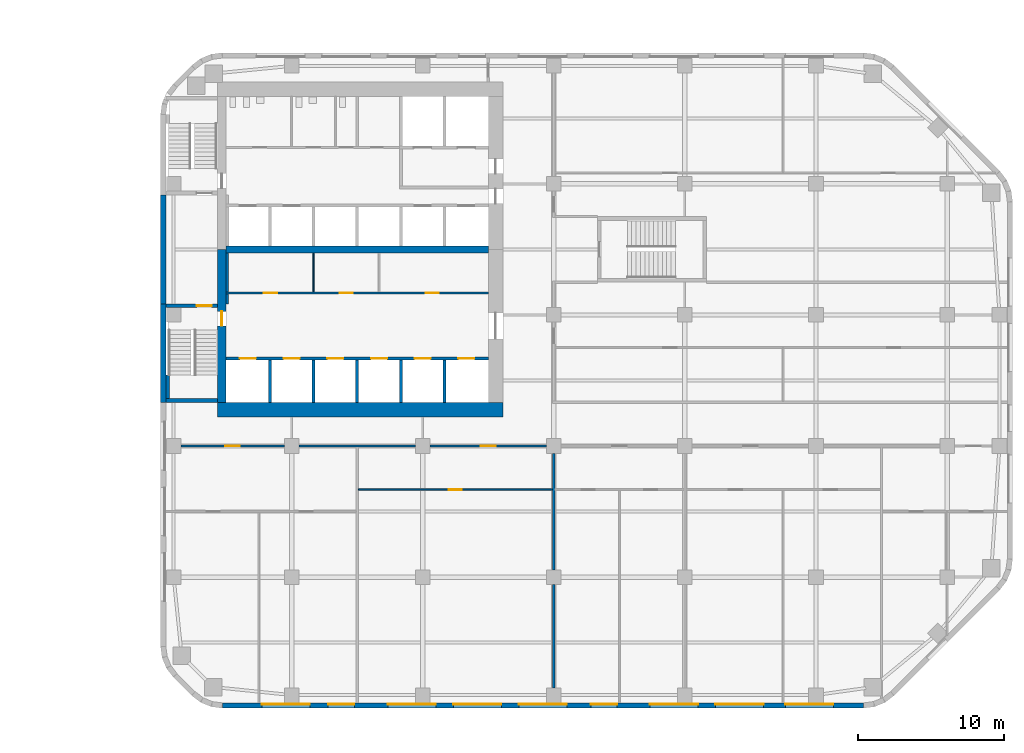
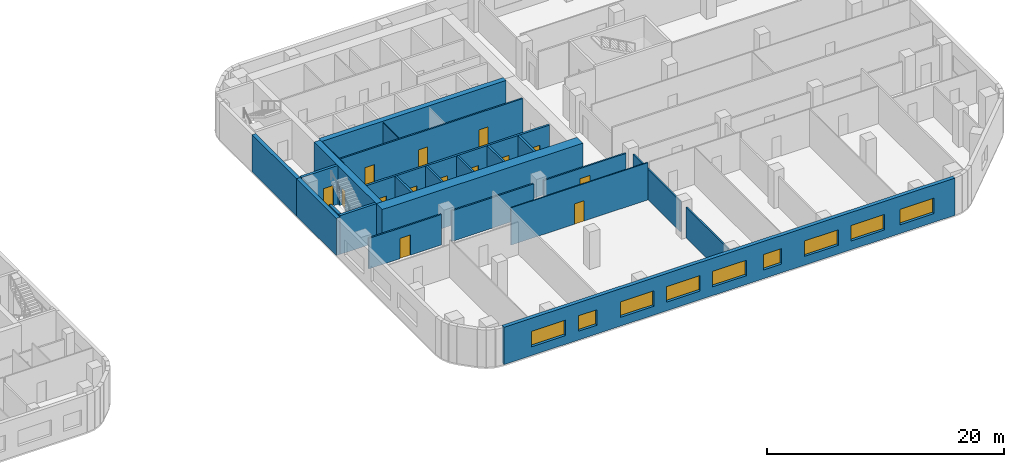
# One storey, part 9 of 16: 25 walls, 14 doors, 9 windows, 23 openings.
"""IFC4 building model written with IfcOpenShell, lengths in metres."""

from ifc_helpers import new_model, si_unit, direction, frame, frame_2d, origin, place, context, subcontext, project, spatial, rectangle, extrude, material, layer, layer_set, type_object, element, fill, save


model = new_model("IFC4")

# Units and contexts
model_context = context("Model", 3, precision=1e-05, world=origin(), true_north=direction((0.0, 1.0)))
body_context = subcontext(model_context, "Body", "Model", "MODEL_VIEW")
ifc_project = project(units=[si_unit("LENGTHUNIT", "METRE"), si_unit("AREAUNIT", "SQUARE_METRE"), si_unit("VOLUMEUNIT", "CUBIC_METRE"), si_unit("PLANEANGLEUNIT", "RADIAN"), si_unit("MASSUNIT", "GRAM", prefix="KILO")], contexts=[model_context])

# Site, building, storey
site_placement = place(None, origin())
site = spatial("IfcSite", under=ifc_project, at=site_placement, CompositionType="ELEMENT")
building_placement = place(site_placement, origin())
building = spatial("IfcBuilding", under=site, at=building_placement, Name="Cinnabar Reach Civic Tower", CompositionType="ELEMENT")
storey_placement = place(building_placement, frame((0.0, 0.0, 55.0)))
storey = spatial("IfcBuildingStorey", under=building, at=storey_placement, Name="L12", CompositionType="ELEMENT", Elevation=55.0)

# Wall, openings, windows
ifc_material_1 = material(Name="Facing brick with insulated backing", Category="masonry")
ifc_layer_1 = layer(ifc_material_1, 0.36)
ifc_layer_set_1 = layer_set([ifc_layer_1], Name="Brick pier and spandrel wall")
wall_type_1 = type_object("IfcWallType", Name="Brick pier and spandrel wall", PredefinedType="STANDARD", material=ifc_layer_set_1)
wall_1_placement = place(storey_placement, frame((4.2426, 0.18, 0.0), z_axis=(0.0, 0.0, 1.0), x_axis=(1.0, 0.0, 0.0)))
wall_1 = element("IfcWall", 1, at=wall_1_placement, inside=storey, type_object=wall_type_1, Name="Brick facade wall", PredefinedType="STANDARD", context=body_context, shape_type="SweptSolid", body=[
    extrude(rectangle(XDim=44.0148, YDim=0.36, at=frame_2d((22.0074, 0.0))), origin(), (0.0, 0.0, 1.0), 3.85),
])
opening_1_placement = place(wall_1_placement, frame((2.7074, 0.0, 0.9)))
opening_1 = element("IfcOpeningElement", 2, at=opening_1_placement, cuts=wall_1, Name="Opening W1186", PredefinedType="OPENING", context=body_context, shape_type="SweptSolid", body=[
    extrude(rectangle(XDim=3.3, YDim=1.6, at=frame_2d((1.65, 0.8))), frame((0.0, 0.19, 0.0), z_axis=(0.0, -1.0, 0.0), x_axis=(1.0, 0.0, 0.0)), (0.0, 0.0, 1.0), 0.38),
])
opening_2_placement = place(wall_1_placement, frame((7.2574, 0.0, 0.9)))
opening_2 = element("IfcOpeningElement", 3, at=opening_2_placement, cuts=wall_1, Name="Opening W1187", PredefinedType="OPENING", context=body_context, shape_type="SweptSolid", body=[
    extrude(rectangle(XDim=1.8, YDim=1.6, at=frame_2d((0.9, 0.8))), frame((0.0, 0.19, 0.0), z_axis=(0.0, -1.0, 0.0), x_axis=(1.0, 0.0, 0.0)), (0.0, 0.0, 1.0), 0.38),
])
opening_3_placement = place(wall_1_placement, frame((11.3574, 0.0, 0.9)))
opening_3 = element("IfcOpeningElement", 4, at=opening_3_placement, cuts=wall_1, Name="Opening W1188", PredefinedType="OPENING", context=body_context, shape_type="SweptSolid", body=[
    extrude(rectangle(XDim=3.3, YDim=1.6, at=frame_2d((1.65, 0.8))), frame((0.0, 0.19, 0.0), z_axis=(0.0, -1.0, 0.0), x_axis=(1.0, 0.0, 0.0)), (0.0, 0.0, 1.0), 0.38),
])
opening_4_placement = place(wall_1_placement, frame((15.8574, 0.0, 0.9)))
opening_4 = element("IfcOpeningElement", 5, at=opening_4_placement, cuts=wall_1, Name="Opening W1189", PredefinedType="OPENING", context=body_context, shape_type="SweptSolid", body=[
    extrude(rectangle(XDim=3.3, YDim=1.6, at=frame_2d((1.65, 0.8))), frame((0.0, 0.19, 0.0), z_axis=(0.0, -1.0, 0.0), x_axis=(1.0, 0.0, 0.0)), (0.0, 0.0, 1.0), 0.38),
])
opening_5_placement = place(wall_1_placement, frame((20.3574, 0.0, 0.9)))
opening_5 = element("IfcOpeningElement", 6, at=opening_5_placement, cuts=wall_1, Name="Opening W1190", PredefinedType="OPENING", context=body_context, shape_type="SweptSolid", body=[
    extrude(rectangle(XDim=3.3, YDim=1.6, at=frame_2d((1.65, 0.8))), frame((0.0, 0.19, 0.0), z_axis=(0.0, -1.0, 0.0), x_axis=(1.0, 0.0, 0.0)), (0.0, 0.0, 1.0), 0.38),
])
opening_6_placement = place(wall_1_placement, frame((25.3074, 0.0, 0.9)))
opening_6 = element("IfcOpeningElement", 7, at=opening_6_placement, cuts=wall_1, Name="Opening W1191", PredefinedType="OPENING", context=body_context, shape_type="SweptSolid", body=[
    extrude(rectangle(XDim=1.8, YDim=1.6, at=frame_2d((0.9, 0.8))), frame((0.0, 0.19, 0.0), z_axis=(0.0, -1.0, 0.0), x_axis=(1.0, 0.0, 0.0)), (0.0, 0.0, 1.0), 0.38),
])
opening_7_placement = place(wall_1_placement, frame((29.3574, 0.0, 0.9)))
opening_7 = element("IfcOpeningElement", 8, at=opening_7_placement, cuts=wall_1, Name="Opening W1192", PredefinedType="OPENING", context=body_context, shape_type="SweptSolid", body=[
    extrude(rectangle(XDim=3.3, YDim=1.6, at=frame_2d((1.65, 0.8))), frame((0.0, 0.19, 0.0), z_axis=(0.0, -1.0, 0.0), x_axis=(1.0, 0.0, 0.0)), (0.0, 0.0, 1.0), 0.38),
])
opening_8_placement = place(wall_1_placement, frame((33.8574, 0.0, 0.9)))
opening_8 = element("IfcOpeningElement", 9, at=opening_8_placement, cuts=wall_1, Name="Opening W1193", PredefinedType="OPENING", context=body_context, shape_type="SweptSolid", body=[
    extrude(rectangle(XDim=3.3, YDim=1.6, at=frame_2d((1.65, 0.8))), frame((0.0, 0.19, 0.0), z_axis=(0.0, -1.0, 0.0), x_axis=(1.0, 0.0, 0.0)), (0.0, 0.0, 1.0), 0.38),
])
opening_9_placement = place(wall_1_placement, frame((38.6574, 0.0, 0.9)))
opening_9 = element("IfcOpeningElement", 10, at=opening_9_placement, cuts=wall_1, Name="Opening W1194", PredefinedType="OPENING", context=body_context, shape_type="SweptSolid", body=[
    extrude(rectangle(XDim=3.3, YDim=1.6, at=frame_2d((1.65, 0.8))), frame((0.0, 0.19, 0.0), z_axis=(0.0, -1.0, 0.0), x_axis=(1.0, 0.0, 0.0)), (0.0, 0.0, 1.0), 0.38),
])
ifc_material_2 = material(Name="Clear double glazing in aluminium frame", Category="aluminium")
window_type_1 = type_object("IfcWindowType", Name="Deep-set window A", PartitioningType="SINGLE_PANEL", PredefinedType="WINDOW", material=ifc_material_2)
window_1_placement = place(opening_1_placement, origin())
window_1 = element("IfcWindow", 11, at=window_1_placement, inside=storey, type_object=window_type_1, Name="Window south face", OverallHeight=1.6, OverallWidth=3.3, PartitioningType="SINGLE_PANEL", PredefinedType="WINDOW", context=body_context, shape_type="SweptSolid", body=[
    extrude(rectangle(XDim=3.3, YDim=1.6, at=frame_2d((1.65, 0.8))), frame((0.0, 0.13, 0.0), z_axis=(0.0, -1.0, 0.0), x_axis=(1.0, 0.0, 0.0)), (0.0, 0.0, 1.0), 0.06),
])
fill(opening_1, window_1)
window_2_placement = place(opening_3_placement, origin())
window_2 = element("IfcWindow", 12, at=window_2_placement, inside=storey, type_object=window_type_1, Name="Window south face", OverallHeight=1.6, OverallWidth=3.3, PartitioningType="SINGLE_PANEL", PredefinedType="WINDOW", context=body_context, shape_type="SweptSolid", body=[
    extrude(rectangle(XDim=3.3, YDim=1.6, at=frame_2d((1.65, 0.8))), frame((0.0, 0.13, 0.0), z_axis=(0.0, -1.0, 0.0), x_axis=(1.0, 0.0, 0.0)), (0.0, 0.0, 1.0), 0.06),
])
fill(opening_3, window_2)
window_3_placement = place(opening_4_placement, origin())
window_3 = element("IfcWindow", 13, at=window_3_placement, inside=storey, type_object=window_type_1, Name="Window south face", OverallHeight=1.6, OverallWidth=3.3, PartitioningType="SINGLE_PANEL", PredefinedType="WINDOW", context=body_context, shape_type="SweptSolid", body=[
    extrude(rectangle(XDim=3.3, YDim=1.6, at=frame_2d((1.65, 0.8))), frame((0.0, 0.13, 0.0), z_axis=(0.0, -1.0, 0.0), x_axis=(1.0, 0.0, 0.0)), (0.0, 0.0, 1.0), 0.06),
])
fill(opening_4, window_3)
window_4_placement = place(opening_5_placement, origin())
window_4 = element("IfcWindow", 14, at=window_4_placement, inside=storey, type_object=window_type_1, Name="Window south face", OverallHeight=1.6, OverallWidth=3.3, PartitioningType="SINGLE_PANEL", PredefinedType="WINDOW", context=body_context, shape_type="SweptSolid", body=[
    extrude(rectangle(XDim=3.3, YDim=1.6, at=frame_2d((1.65, 0.8))), frame((0.0, 0.13, 0.0), z_axis=(0.0, -1.0, 0.0), x_axis=(1.0, 0.0, 0.0)), (0.0, 0.0, 1.0), 0.06),
])
fill(opening_5, window_4)
window_5_placement = place(opening_7_placement, origin())
window_5 = element("IfcWindow", 15, at=window_5_placement, inside=storey, type_object=window_type_1, Name="Window south face", OverallHeight=1.6, OverallWidth=3.3, PartitioningType="SINGLE_PANEL", PredefinedType="WINDOW", context=body_context, shape_type="SweptSolid", body=[
    extrude(rectangle(XDim=3.3, YDim=1.6, at=frame_2d((1.65, 0.8))), frame((0.0, 0.13, 0.0), z_axis=(0.0, -1.0, 0.0), x_axis=(1.0, 0.0, 0.0)), (0.0, 0.0, 1.0), 0.06),
])
fill(opening_7, window_5)
window_6_placement = place(opening_8_placement, origin())
window_6 = element("IfcWindow", 16, at=window_6_placement, inside=storey, type_object=window_type_1, Name="Window south face", OverallHeight=1.6, OverallWidth=3.3, PartitioningType="SINGLE_PANEL", PredefinedType="WINDOW", context=body_context, shape_type="SweptSolid", body=[
    extrude(rectangle(XDim=3.3, YDim=1.6, at=frame_2d((1.65, 0.8))), frame((0.0, 0.13, 0.0), z_axis=(0.0, -1.0, 0.0), x_axis=(1.0, 0.0, 0.0)), (0.0, 0.0, 1.0), 0.06),
])
fill(opening_8, window_6)
window_7_placement = place(opening_9_placement, origin())
window_7 = element("IfcWindow", 17, at=window_7_placement, inside=storey, type_object=window_type_1, Name="Window south face", OverallHeight=1.6, OverallWidth=3.3, PartitioningType="SINGLE_PANEL", PredefinedType="WINDOW", context=body_context, shape_type="SweptSolid", body=[
    extrude(rectangle(XDim=3.3, YDim=1.6, at=frame_2d((1.65, 0.8))), frame((0.0, 0.13, 0.0), z_axis=(0.0, -1.0, 0.0), x_axis=(1.0, 0.0, 0.0)), (0.0, 0.0, 1.0), 0.06),
])
fill(opening_9, window_7)
window_type_2 = type_object("IfcWindowType", Name="Deep-set window D", PartitioningType="SINGLE_PANEL", PredefinedType="WINDOW", material=ifc_material_2)
window_8_placement = place(opening_2_placement, origin())
window_8 = element("IfcWindow", 18, at=window_8_placement, inside=storey, type_object=window_type_2, Name="Window south face", OverallHeight=1.6, OverallWidth=1.8, PartitioningType="SINGLE_PANEL", PredefinedType="WINDOW", context=body_context, shape_type="SweptSolid", body=[
    extrude(rectangle(XDim=1.8, YDim=1.6, at=frame_2d((0.9, 0.8))), frame((0.0, 0.13, 0.0), z_axis=(0.0, -1.0, 0.0), x_axis=(1.0, 0.0, 0.0)), (0.0, 0.0, 1.0), 0.06),
])
fill(opening_2, window_8)
window_9_placement = place(opening_6_placement, origin())
window_9 = element("IfcWindow", 19, at=window_9_placement, inside=storey, type_object=window_type_2, Name="Window south face", OverallHeight=1.6, OverallWidth=1.8, PartitioningType="SINGLE_PANEL", PredefinedType="WINDOW", context=body_context, shape_type="SweptSolid", body=[
    extrude(rectangle(XDim=1.8, YDim=1.6, at=frame_2d((0.9, 0.8))), frame((0.0, 0.13, 0.0), z_axis=(0.0, -1.0, 0.0), x_axis=(1.0, 0.0, 0.0)), (0.0, 0.0, 1.0), 0.06),
])
fill(opening_6, window_9)

# Walls
wall_2_placement = place(storey_placement, frame((0.18, 35.25, 0.0), z_axis=(0.0, 0.0, 1.0), x_axis=(0.0, -1.0, 0.0)))
element("IfcWall", 20, at=wall_2_placement, inside=storey, type_object=wall_type_1, Name="Brick facade wall", PredefinedType="STANDARD", context=body_context, shape_type="SweptSolid", body=[
    extrude(rectangle(XDim=7.5, YDim=0.36, at=frame_2d((3.75, 0.0))), origin(), (0.0, 0.0, 1.0), 3.85),
])
wall_3_placement = place(storey_placement, frame((0.18, 27.75, 0.0), z_axis=(0.0, 0.0, 1.0), x_axis=(0.0, -1.0, 0.0)))
element("IfcWall", 21, at=wall_3_placement, inside=storey, type_object=wall_type_1, Name="Brick facade wall", PredefinedType="STANDARD", context=body_context, shape_type="SweptSolid", body=[
    extrude(rectangle(XDim=6.75, YDim=0.36, at=frame_2d((3.375, 0.0))), origin(), (0.0, 0.0, 1.0), 3.85),
])
ifc_material_3 = material(Name="Concrete C70", Category="concrete")
ifc_layer_2 = layer(ifc_material_3, 1.0)
ifc_layer_set_2 = layer_set([ifc_layer_2], Name="Core wall 1000 EI 180")
wall_type_2 = type_object("IfcWallType", Name="Core wall 1000 EI 180", PredefinedType="SOLIDWALL", material=ifc_layer_set_2)
wall_4_placement = place(storey_placement, frame((3.9, 20.5, 0.0), z_axis=(0.0, 0.0, 1.0), x_axis=(1.0, 0.0, 0.0)))
element("IfcWall", 22, at=wall_4_placement, inside=storey, type_object=wall_type_2, Name="Core wall T1 L12 S", PredefinedType="SOLIDWALL", context=body_context, shape_type="SweptSolid", body=[
    extrude(rectangle(XDim=19.6, YDim=1.0, at=frame_2d((9.8, 0.0))), origin(), (0.0, 0.0, 1.0), 4.0),
])
ifc_material_4 = material(Name="Concrete C60", Category="concrete")
ifc_layer_3 = layer(ifc_material_4, 0.5)
ifc_layer_set_3 = layer_set([ifc_layer_3], Name="Core wall 500 EI 180")
wall_type_3 = type_object("IfcWallType", Name="Core wall 500 EI 180", PredefinedType="SOLIDWALL", material=ifc_layer_set_3)
wall_5_placement = place(storey_placement, frame((4.5, 31.5, 0.0), z_axis=(0.0, 0.0, 1.0), x_axis=(1.0, 0.0, 0.0)))
element("IfcWall", 23, at=wall_5_placement, inside=storey, type_object=wall_type_3, Name="Core spine wall T1 L12", PredefinedType="SOLIDWALL", context=body_context, shape_type="SweptSolid", body=[
    extrude(rectangle(XDim=18.0, YDim=0.5, at=frame_2d((9.0, 0.0))), origin(), (0.0, 0.0, 1.0), 4.0),
])

# Wall, opening, door
ifc_layer_4 = layer(ifc_material_3, 0.6)
ifc_layer_set_4 = layer_set([ifc_layer_4], Name="Core wall 600 EI 180")
wall_type_4 = type_object("IfcWallType", Name="Core wall 600 EI 180", PredefinedType="SOLIDWALL", material=ifc_layer_set_4)
wall_6_placement = place(storey_placement, frame((4.2, 31.5, 0.0), z_axis=(0.0, 0.0, 1.0), x_axis=(0.0, -1.0, 0.0)))
wall_6 = element("IfcWall", 24, at=wall_6_placement, inside=storey, type_object=wall_type_4, Name="Core wall T1 L12 W2", PredefinedType="SOLIDWALL", context=body_context, shape_type="SweptSolid", body=[
    extrude(rectangle(XDim=10.5, YDim=0.6, at=frame_2d((5.25, 0.0))), origin(), (0.0, 0.0, 1.0), 4.0),
])
opening_10_placement = place(wall_6_placement, frame((4.25, 0.0, 0.0)))
opening_10 = element("IfcOpeningElement", 25, at=opening_10_placement, cuts=wall_6, Name="Opening D3469", PredefinedType="OPENING", context=body_context, shape_type="SweptSolid", body=[
    extrude(rectangle(XDim=1.0, YDim=2.1, at=frame_2d((0.5, 1.05))), frame((0.0, 0.31, 0.0), z_axis=(0.0, -1.0, 0.0), x_axis=(1.0, 0.0, 0.0)), (0.0, 0.0, 1.0), 0.62),
])
ifc_material_5 = material(Name="Timber door leaf in steel frame", Category="steel")
door_type_1 = type_object("IfcDoorType", Name="Stair door 1000 x 2100 T1", OperationType="SINGLE_SWING_LEFT", PredefinedType="DOOR", material=ifc_material_5)
door_1_placement = place(opening_10_placement, frame((1.0, 0.0, 0.0), z_axis=(0.0, 0.0, 1.0), x_axis=(-1.0, 0.0, 0.0)))
door_1 = element("IfcDoor", 26, at=door_1_placement, inside=storey, type_object=door_type_1, Name="Door D3469", OperationType="SINGLE_SWING_RIGHT", OverallHeight=2.1, OverallWidth=1.0, PredefinedType="DOOR", context=body_context, shape_type="SweptSolid", body=[
    extrude(rectangle(XDim=1.0, YDim=2.1, at=frame_2d((0.5, 1.05))), frame((0.0, 0.025, 0.0), z_axis=(0.0, -1.0, 0.0), x_axis=(1.0, 0.0, 0.0)), (0.0, 0.0, 1.0), 0.05),
])
fill(opening_10, door_1)

ifc_material_6 = material(Name="Gypsum board on steel studs, double layer", Category="steel")
ifc_layer_5 = layer(ifc_material_6, 0.15)
ifc_layer_set_5 = layer_set([ifc_layer_5], Name="Corridor wall 150 T1")
wall_type_5 = type_object("IfcWallType", Name="Corridor wall 150 T1", PredefinedType="PARTITIONING", material=ifc_layer_set_5)
wall_7_placement = place(storey_placement, frame((18.5, 18.0, 0.0), z_axis=(0.0, 0.0, 1.0), x_axis=(1.0, 0.0, 0.0)))
wall_7 = element("IfcWall", 27, at=wall_7_placement, inside=storey, type_object=wall_type_5, Name="Corridor wall 23", PredefinedType="PARTITIONING", context=body_context, shape_type="SweptSolid", body=[
    extrude(rectangle(XDim=8.0, YDim=0.15, at=frame_2d((4.0, 0.0))), origin(), (0.0, 0.0, 1.0), 3.15),
])
opening_11_placement = place(wall_7_placement, frame((3.5, 0.0, 0.0)))
opening_11 = element("IfcOpeningElement", 28, at=opening_11_placement, cuts=wall_7, Name="Opening D3505", PredefinedType="OPENING", context=body_context, shape_type="SweptSolid", body=[
    extrude(rectangle(XDim=1.0, YDim=2.1, at=frame_2d((0.5, 1.05))), frame((0.0, 0.085, 0.0), z_axis=(0.0, -1.0, 0.0), x_axis=(1.0, 0.0, 0.0)), (0.0, 0.0, 1.0), 0.17),
])
door_type_2 = type_object("IfcDoorType", Name="Tenancy entrance door 1000 x 2100 T1", OperationType="SINGLE_SWING_LEFT", PredefinedType="DOOR", material=ifc_material_5)
door_2_placement = place(opening_11_placement, frame((1.0, 0.0, 0.0), z_axis=(0.0, 0.0, 1.0), x_axis=(-1.0, 0.0, 0.0)))
door_2 = element("IfcDoor", 29, at=door_2_placement, inside=storey, type_object=door_type_2, Name="Door D3505", OperationType="SINGLE_SWING_RIGHT", OverallHeight=2.1, OverallWidth=1.0, PredefinedType="DOOR", context=body_context, shape_type="SweptSolid", body=[
    extrude(rectangle(XDim=1.0, YDim=2.1, at=frame_2d((0.5, 1.05))), frame((0.0, 0.025, 0.0), z_axis=(0.0, -1.0, 0.0), x_axis=(1.0, 0.0, 0.0)), (0.0, 0.0, 1.0), 0.05),
])
fill(opening_11, door_2)

# Wall
wall_8_placement = place(storey_placement, frame((9.5, 18.0, 0.0), z_axis=(0.0, 0.0, 1.0), x_axis=(1.0, 0.0, 0.0)))
element("IfcWall", 30, at=wall_8_placement, inside=storey, type_object=wall_type_5, Name="Corridor wall 24", PredefinedType="PARTITIONING", context=body_context, shape_type="SweptSolid", body=[
    extrude(rectangle(XDim=8.0, YDim=0.15, at=frame_2d((4.0, 0.0))), origin(), (0.0, 0.0, 1.0), 3.15),
])

# Wall, opening, door
wall_9_placement = place(storey_placement, frame((1.4, 18.0, 0.0), z_axis=(0.0, 0.0, 1.0), x_axis=(1.0, 0.0, 0.0)))
wall_9 = element("IfcWall", 31, at=wall_9_placement, inside=storey, type_object=wall_type_5, Name="Corridor wall 25", PredefinedType="PARTITIONING", context=body_context, shape_type="SweptSolid", body=[
    extrude(rectangle(XDim=7.1, YDim=0.15, at=frame_2d((3.55, 0.0))), origin(), (0.0, 0.0, 1.0), 3.15),
])
opening_12_placement = place(wall_9_placement, frame((3.05, 0.0, 0.0)))
opening_12 = element("IfcOpeningElement", 32, at=opening_12_placement, cuts=wall_9, Name="Opening D3502", PredefinedType="OPENING", context=body_context, shape_type="SweptSolid", body=[
    extrude(rectangle(XDim=1.0, YDim=2.1, at=frame_2d((0.5, 1.05))), frame((0.0, 0.085, 0.0), z_axis=(0.0, -1.0, 0.0), x_axis=(1.0, 0.0, 0.0)), (0.0, 0.0, 1.0), 0.17),
])
door_3_placement = place(opening_12_placement, frame((1.0, 0.0, 0.0), z_axis=(0.0, 0.0, 1.0), x_axis=(-1.0, 0.0, 0.0)))
door_3 = element("IfcDoor", 33, at=door_3_placement, inside=storey, type_object=door_type_2, Name="Door D3502", OperationType="SINGLE_SWING_LEFT", OverallHeight=2.1, OverallWidth=1.0, PredefinedType="DOOR", context=body_context, shape_type="SweptSolid", body=[
    extrude(rectangle(XDim=1.0, YDim=2.1, at=frame_2d((0.5, 1.05))), frame((0.0, 0.025, 0.0), z_axis=(0.0, -1.0, 0.0), x_axis=(1.0, 0.0, 0.0)), (0.0, 0.0, 1.0), 0.05),
])
fill(opening_12, door_3)

# Wall, openings, doors
wall_10_placement = place(storey_placement, frame((4.5, 28.5, 0.0), z_axis=(0.0, 0.0, 1.0), x_axis=(1.0, 0.0, 0.0)))
wall_10 = element("IfcWall", 34, at=wall_10_placement, inside=storey, type_object=wall_type_5, Name="Corridor wall 27", PredefinedType="PARTITIONING", context=body_context, shape_type="SweptSolid", body=[
    extrude(rectangle(XDim=18.0, YDim=0.15, at=frame_2d((9.0, 0.0))), origin(), (0.0, 0.0, 1.0), 3.85),
])
opening_13_placement = place(wall_10_placement, frame((2.6, 0.0, 0.0)))
opening_13 = element("IfcOpeningElement", 35, at=opening_13_placement, cuts=wall_10, Name="Opening D3489", PredefinedType="OPENING", context=body_context, shape_type="SweptSolid", body=[
    extrude(rectangle(XDim=0.9, YDim=2.1, at=frame_2d((0.45, 1.05))), frame((0.0, 0.085, 0.0), z_axis=(0.0, -1.0, 0.0), x_axis=(1.0, 0.0, 0.0)), (0.0, 0.0, 1.0), 0.17),
])
opening_14_placement = place(wall_10_placement, frame((7.8, 0.0, 0.0)))
opening_14 = element("IfcOpeningElement", 36, at=opening_14_placement, cuts=wall_10, Name="Opening D3490", PredefinedType="OPENING", context=body_context, shape_type="SweptSolid", body=[
    extrude(rectangle(XDim=0.9, YDim=2.1, at=frame_2d((0.45, 1.05))), frame((0.0, 0.085, 0.0), z_axis=(0.0, -1.0, 0.0), x_axis=(1.0, 0.0, 0.0)), (0.0, 0.0, 1.0), 0.17),
])
opening_15_placement = place(wall_10_placement, frame((13.7, 0.0, 0.0)))
opening_15 = element("IfcOpeningElement", 37, at=opening_15_placement, cuts=wall_10, Name="Opening D3491", PredefinedType="OPENING", context=body_context, shape_type="SweptSolid", body=[
    extrude(rectangle(XDim=0.9, YDim=2.1, at=frame_2d((0.45, 1.05))), frame((0.0, 0.085, 0.0), z_axis=(0.0, -1.0, 0.0), x_axis=(1.0, 0.0, 0.0)), (0.0, 0.0, 1.0), 0.17),
])
door_type_3 = type_object("IfcDoorType", Name="Single swing door 900 x 2100 corridor T1", OperationType="SINGLE_SWING_LEFT", PredefinedType="DOOR", material=ifc_material_5)
door_4_placement = place(opening_13_placement, origin())
door_4 = element("IfcDoor", 38, at=door_4_placement, inside=storey, type_object=door_type_3, Name="Door D3489", OperationType="SINGLE_SWING_RIGHT", OverallHeight=2.1, OverallWidth=0.9, PredefinedType="DOOR", context=body_context, shape_type="SweptSolid", body=[
    extrude(rectangle(XDim=0.9, YDim=2.1, at=frame_2d((0.45, 1.05))), frame((0.0, 0.025, 0.0), z_axis=(0.0, -1.0, 0.0), x_axis=(1.0, 0.0, 0.0)), (0.0, 0.0, 1.0), 0.05),
])
fill(opening_13, door_4)
door_5_placement = place(opening_14_placement, origin())
door_5 = element("IfcDoor", 39, at=door_5_placement, inside=storey, type_object=door_type_3, Name="Door D3490", OperationType="SINGLE_SWING_RIGHT", OverallHeight=2.1, OverallWidth=0.9, PredefinedType="DOOR", context=body_context, shape_type="SweptSolid", body=[
    extrude(rectangle(XDim=0.9, YDim=2.1, at=frame_2d((0.45, 1.05))), frame((0.0, 0.025, 0.0), z_axis=(0.0, -1.0, 0.0), x_axis=(1.0, 0.0, 0.0)), (0.0, 0.0, 1.0), 0.05),
])
fill(opening_14, door_5)
door_6_placement = place(opening_15_placement, origin())
door_6 = element("IfcDoor", 40, at=door_6_placement, inside=storey, type_object=door_type_3, Name="Door D3491", OperationType="SINGLE_SWING_LEFT", OverallHeight=2.1, OverallWidth=0.9, PredefinedType="DOOR", context=body_context, shape_type="SweptSolid", body=[
    extrude(rectangle(XDim=0.9, YDim=2.1, at=frame_2d((0.45, 1.05))), frame((0.0, 0.025, 0.0), z_axis=(0.0, -1.0, 0.0), x_axis=(1.0, 0.0, 0.0)), (0.0, 0.0, 1.0), 0.05),
])
fill(opening_15, door_6)

# Walls
wall_11_placement = place(storey_placement, frame((4.575, 27.75, 0.0), z_axis=(0.0, 0.0, 1.0), x_axis=(0.0, 1.0, 0.0)))
element("IfcWall", 41, at=wall_11_placement, inside=storey, type_object=wall_type_5, Name="Corridor wall 33", PredefinedType="PARTITIONING", context=body_context, shape_type="SweptSolid", body=[
    extrude(rectangle(XDim=0.675, YDim=0.15, at=frame_2d((0.3375, 0.0))), origin(), (0.0, 0.0, 1.0), 3.85),
])
wall_12_placement = place(storey_placement, frame((4.575, 28.575, 0.0), z_axis=(0.0, 0.0, 1.0), x_axis=(0.0, 1.0, 0.0)))
element("IfcWall", 42, at=wall_12_placement, inside=storey, type_object=wall_type_5, Name="Corridor wall 34", PredefinedType="PARTITIONING", context=body_context, shape_type="SweptSolid", body=[
    extrude(rectangle(XDim=2.675, YDim=0.15, at=frame_2d((1.3375, 0.0))), origin(), (0.0, 0.0, 1.0), 3.85),
])

# Wall, openings, doors
ifc_material_7 = material(Name="Blockwork", Category="masonry")
ifc_layer_6 = layer(ifc_material_7, 0.2)
ifc_layer_set_6 = layer_set([ifc_layer_6], Name="Lift shaft wall 200 T1")
wall_type_6 = type_object("IfcWallType", Name="Lift shaft wall 200 T1", PredefinedType="PARTITIONING", material=ifc_layer_set_6)
wall_13_placement = place(storey_placement, frame((4.5, 24.0, 0.0), z_axis=(0.0, 0.0, 1.0), x_axis=(1.0, 0.0, 0.0)))
wall_13 = element("IfcWall", 43, at=wall_13_placement, inside=storey, type_object=wall_type_6, Name="Lift shaft wall 4", PredefinedType="PARTITIONING", context=body_context, shape_type="SweptSolid", body=[
    extrude(rectangle(XDim=18.0, YDim=0.2, at=frame_2d((9.0, 0.0))), origin(), (0.0, 0.0, 1.0), 3.85),
])
opening_16_placement = place(wall_13_placement, frame((0.95, 0.0, 0.0)))
opening_16 = element("IfcOpeningElement", 44, at=opening_16_placement, cuts=wall_13, Name="Opening D3473", PredefinedType="OPENING", context=body_context, shape_type="SweptSolid", body=[
    extrude(rectangle(XDim=1.1, YDim=2.1, at=frame_2d((0.55, 1.05))), frame((0.0, 0.11, 0.0), z_axis=(0.0, -1.0, 0.0), x_axis=(1.0, 0.0, 0.0)), (0.0, 0.0, 1.0), 0.22),
])
opening_17_placement = place(wall_13_placement, frame((3.95, 0.0, 0.0)))
opening_17 = element("IfcOpeningElement", 45, at=opening_17_placement, cuts=wall_13, Name="Opening D3474", PredefinedType="OPENING", context=body_context, shape_type="SweptSolid", body=[
    extrude(rectangle(XDim=1.1, YDim=2.1, at=frame_2d((0.55, 1.05))), frame((0.0, 0.11, 0.0), z_axis=(0.0, -1.0, 0.0), x_axis=(1.0, 0.0, 0.0)), (0.0, 0.0, 1.0), 0.22),
])
opening_18_placement = place(wall_13_placement, frame((6.95, 0.0, 0.0)))
opening_18 = element("IfcOpeningElement", 46, at=opening_18_placement, cuts=wall_13, Name="Opening D3475", PredefinedType="OPENING", context=body_context, shape_type="SweptSolid", body=[
    extrude(rectangle(XDim=1.1, YDim=2.1, at=frame_2d((0.55, 1.05))), frame((0.0, 0.11, 0.0), z_axis=(0.0, -1.0, 0.0), x_axis=(1.0, 0.0, 0.0)), (0.0, 0.0, 1.0), 0.22),
])
opening_19_placement = place(wall_13_placement, frame((9.95, 0.0, 0.0)))
opening_19 = element("IfcOpeningElement", 47, at=opening_19_placement, cuts=wall_13, Name="Opening D3476", PredefinedType="OPENING", context=body_context, shape_type="SweptSolid", body=[
    extrude(rectangle(XDim=1.1, YDim=2.1, at=frame_2d((0.55, 1.05))), frame((0.0, 0.11, 0.0), z_axis=(0.0, -1.0, 0.0), x_axis=(1.0, 0.0, 0.0)), (0.0, 0.0, 1.0), 0.22),
])
opening_20_placement = place(wall_13_placement, frame((12.95, 0.0, 0.0)))
opening_20 = element("IfcOpeningElement", 48, at=opening_20_placement, cuts=wall_13, Name="Opening D3477", PredefinedType="OPENING", context=body_context, shape_type="SweptSolid", body=[
    extrude(rectangle(XDim=1.1, YDim=2.1, at=frame_2d((0.55, 1.05))), frame((0.0, 0.11, 0.0), z_axis=(0.0, -1.0, 0.0), x_axis=(1.0, 0.0, 0.0)), (0.0, 0.0, 1.0), 0.22),
])
opening_21_placement = place(wall_13_placement, frame((15.95, 0.0, 0.0)))
opening_21 = element("IfcOpeningElement", 49, at=opening_21_placement, cuts=wall_13, Name="Opening D3478", PredefinedType="OPENING", context=body_context, shape_type="SweptSolid", body=[
    extrude(rectangle(XDim=1.1, YDim=2.1, at=frame_2d((0.55, 1.05))), frame((0.0, 0.11, 0.0), z_axis=(0.0, -1.0, 0.0), x_axis=(1.0, 0.0, 0.0)), (0.0, 0.0, 1.0), 0.22),
])
ifc_material_8 = material(Name="Stainless steel sliding door", Category="steel")
door_type_4 = type_object("IfcDoorType", Name="Lift landing door 1100 x 2100 T1", OperationType="SLIDING_TO_LEFT", PredefinedType="DOOR", material=ifc_material_8)
door_7_placement = place(opening_16_placement, origin())
door_7 = element("IfcDoor", 50, at=door_7_placement, inside=storey, type_object=door_type_4, Name="Lift landing door LR1 L12", OperationType="SLIDING_TO_LEFT", OverallHeight=2.1, OverallWidth=1.1, PredefinedType="DOOR", context=body_context, shape_type="SweptSolid", body=[
    extrude(rectangle(XDim=1.1, YDim=2.1, at=frame_2d((0.55, 1.05))), frame((0.0, 0.025, 0.0), z_axis=(0.0, -1.0, 0.0), x_axis=(1.0, 0.0, 0.0)), (0.0, 0.0, 1.0), 0.05),
])
fill(opening_16, door_7)
door_8_placement = place(opening_17_placement, origin())
door_8 = element("IfcDoor", 51, at=door_8_placement, inside=storey, type_object=door_type_4, Name="Lift landing door LR2 L12", OperationType="SLIDING_TO_LEFT", OverallHeight=2.1, OverallWidth=1.1, PredefinedType="DOOR", context=body_context, shape_type="SweptSolid", body=[
    extrude(rectangle(XDim=1.1, YDim=2.1, at=frame_2d((0.55, 1.05))), frame((0.0, 0.025, 0.0), z_axis=(0.0, -1.0, 0.0), x_axis=(1.0, 0.0, 0.0)), (0.0, 0.0, 1.0), 0.05),
])
fill(opening_17, door_8)
door_9_placement = place(opening_18_placement, origin())
door_9 = element("IfcDoor", 52, at=door_9_placement, inside=storey, type_object=door_type_4, Name="Lift landing door LR3 L12", OperationType="SLIDING_TO_LEFT", OverallHeight=2.1, OverallWidth=1.1, PredefinedType="DOOR", context=body_context, shape_type="SweptSolid", body=[
    extrude(rectangle(XDim=1.1, YDim=2.1, at=frame_2d((0.55, 1.05))), frame((0.0, 0.025, 0.0), z_axis=(0.0, -1.0, 0.0), x_axis=(1.0, 0.0, 0.0)), (0.0, 0.0, 1.0), 0.05),
])
fill(opening_18, door_9)
door_10_placement = place(opening_19_placement, origin())
door_10 = element("IfcDoor", 53, at=door_10_placement, inside=storey, type_object=door_type_4, Name="Lift landing door LR4 L12", OperationType="SLIDING_TO_LEFT", OverallHeight=2.1, OverallWidth=1.1, PredefinedType="DOOR", context=body_context, shape_type="SweptSolid", body=[
    extrude(rectangle(XDim=1.1, YDim=2.1, at=frame_2d((0.55, 1.05))), frame((0.0, 0.025, 0.0), z_axis=(0.0, -1.0, 0.0), x_axis=(1.0, 0.0, 0.0)), (0.0, 0.0, 1.0), 0.05),
])
fill(opening_19, door_10)
door_11_placement = place(opening_20_placement, origin())
door_11 = element("IfcDoor", 54, at=door_11_placement, inside=storey, type_object=door_type_4, Name="Lift landing door LR5 L12", OperationType="SLIDING_TO_LEFT", OverallHeight=2.1, OverallWidth=1.1, PredefinedType="DOOR", context=body_context, shape_type="SweptSolid", body=[
    extrude(rectangle(XDim=1.1, YDim=2.1, at=frame_2d((0.55, 1.05))), frame((0.0, 0.025, 0.0), z_axis=(0.0, -1.0, 0.0), x_axis=(1.0, 0.0, 0.0)), (0.0, 0.0, 1.0), 0.05),
])
fill(opening_20, door_11)
door_12_placement = place(opening_21_placement, origin())
door_12 = element("IfcDoor", 55, at=door_12_placement, inside=storey, type_object=door_type_4, Name="Lift landing door LR6 L12", OperationType="SLIDING_TO_LEFT", OverallHeight=2.1, OverallWidth=1.1, PredefinedType="DOOR", context=body_context, shape_type="SweptSolid", body=[
    extrude(rectangle(XDim=1.1, YDim=2.1, at=frame_2d((0.55, 1.05))), frame((0.0, 0.025, 0.0), z_axis=(0.0, -1.0, 0.0), x_axis=(1.0, 0.0, 0.0)), (0.0, 0.0, 1.0), 0.05),
])
fill(opening_21, door_12)

# Walls
for number, where, z_axis, x_axis, name in (
    (56, (7.5, 21.0, 0.0), (0.0, 0.0, 1.0), (0.0, 1.0, 0.0), "Lift shaft wall 9"),
    (57, (10.5, 21.0, 0.0), (0.0, 0.0, 1.0), (0.0, 1.0, 0.0), "Lift shaft wall 11"),
    (58, (13.5, 21.0, 0.0), (0.0, 0.0, 1.0), (0.0, 1.0, 0.0), "Lift shaft wall 13"),
    (59, (16.5, 21.0, 0.0), (0.0, 0.0, 1.0), (0.0, 1.0, 0.0), "Lift shaft wall 15"),
    (60, (19.5, 21.0, 0.0), (0.0, 0.0, 1.0), (0.0, 1.0, 0.0), "Lift shaft wall 17"),
):
    element("IfcWall", number, at=place(storey_placement, frame(where, z_axis=z_axis, x_axis=x_axis)), inside=storey, type_object=wall_type_6, Name=name, PredefinedType="PARTITIONING", context=body_context, shape_type="SweptSolid", body=[
        extrude(rectangle(XDim=2.9, YDim=0.2, at=frame_2d((1.45, 0.0))), origin(), (0.0, 0.0, 1.0), 3.85),
    ])

# Wall, opening, door
ifc_material_9 = material(Name="Gypsum board on steel studs", Category="steel")
ifc_layer_7 = layer(ifc_material_9, 0.1)
ifc_layer_set_7 = layer_set([ifc_layer_7], Name="Partition wall 100 T1")
wall_type_7 = type_object("IfcWallType", Name="Partition wall 100 T1", PredefinedType="PARTITIONING", material=ifc_layer_set_7)
wall_14_placement = place(storey_placement, frame((13.575, 15.0, 0.0), z_axis=(0.0, 0.0, 1.0), x_axis=(1.0, 0.0, 0.0)))
wall_14 = element("IfcWall", 61, at=wall_14_placement, inside=storey, type_object=wall_type_7, Name="Partition wall 47", PredefinedType="PARTITIONING", context=body_context, shape_type="SweptSolid", body=[
    extrude(rectangle(XDim=13.35, YDim=0.1, at=frame_2d((6.675, 0.0))), origin(), (0.0, 0.0, 1.0), 3.85),
])
opening_22_placement = place(wall_14_placement, frame((6.2, 0.0, 0.0)))
opening_22 = element("IfcOpeningElement", 62, at=opening_22_placement, cuts=wall_14, Name="Opening D3506", PredefinedType="OPENING", context=body_context, shape_type="SweptSolid", body=[
    extrude(rectangle(XDim=0.9, YDim=2.1, at=frame_2d((0.45, 1.05))), frame((0.0, 0.06, 0.0), z_axis=(0.0, -1.0, 0.0), x_axis=(1.0, 0.0, 0.0)), (0.0, 0.0, 1.0), 0.12),
])
door_type_5 = type_object("IfcDoorType", Name="Single swing door 900 x 2100 T1", OperationType="SINGLE_SWING_LEFT", PredefinedType="DOOR", material=ifc_material_5)
door_13_placement = place(opening_22_placement, origin())
door_13 = element("IfcDoor", 63, at=door_13_placement, inside=storey, type_object=door_type_5, Name="Door D3506", OperationType="SINGLE_SWING_LEFT", OverallHeight=2.1, OverallWidth=0.9, PredefinedType="DOOR", context=body_context, shape_type="SweptSolid", body=[
    extrude(rectangle(XDim=0.9, YDim=2.1, at=frame_2d((0.45, 1.05))), frame((0.0, 0.025, 0.0), z_axis=(0.0, -1.0, 0.0), x_axis=(1.0, 0.0, 0.0)), (0.0, 0.0, 1.0), 0.05),
])
fill(opening_22, door_13)

# Walls
wall_15_placement = place(storey_placement, frame((10.5, 28.575, 0.0), z_axis=(0.0, 0.0, 1.0), x_axis=(0.0, 1.0, 0.0)))
element("IfcWall", 64, at=wall_15_placement, inside=storey, type_object=wall_type_7, Name="Partition wall 63", PredefinedType="PARTITIONING", context=body_context, shape_type="SweptSolid", body=[
    extrude(rectangle(XDim=2.675, YDim=0.1, at=frame_2d((1.3375, 0.0))), origin(), (0.0, 0.0, 1.0), 3.85),
])
ifc_layer_8 = layer(ifc_material_4, 0.25)
ifc_layer_set_8 = layer_set([ifc_layer_8], Name="Stair shaft wall 250 EI 120")
wall_type_8 = type_object("IfcWallType", Name="Stair shaft wall 250 EI 120", PredefinedType="SOLIDWALL", material=ifc_layer_set_8)
wall_16_placement = place(storey_placement, frame((0.36, 21.125, 0.0), z_axis=(0.0, 0.0, 1.0), x_axis=(1.0, 0.0, 0.0)))
element("IfcWall", 65, at=wall_16_placement, inside=storey, type_object=wall_type_8, Name="Stair shaft wall T1-S1 L12", PredefinedType="SOLIDWALL", context=body_context, shape_type="SweptSolid", body=[
    extrude(rectangle(XDim=3.54, YDim=0.25, at=frame_2d((1.77, 0.0))), origin(), (0.0, 0.0, 1.0), 4.0),
])

# Wall, opening, door
wall_17_placement = place(storey_placement, frame((3.9, 27.625, 0.0), z_axis=(0.0, 0.0, 1.0), x_axis=(-1.0, 0.0, 0.0)))
wall_17 = element("IfcWall", 66, at=wall_17_placement, inside=storey, type_object=wall_type_8, Name="Stair shaft wall T1-S1 L12", PredefinedType="SOLIDWALL", context=body_context, shape_type="SweptSolid", body=[
    extrude(rectangle(XDim=3.54, YDim=0.25, at=frame_2d((1.77, 0.0))), origin(), (0.0, 0.0, 1.0), 4.0),
])
opening_23_placement = place(wall_17_placement, frame((0.4, 0.0, 0.0)))
opening_23 = element("IfcOpeningElement", 67, at=opening_23_placement, cuts=wall_17, Name="Opening D3470", PredefinedType="OPENING", context=body_context, shape_type="SweptSolid", body=[
    extrude(rectangle(XDim=1.0, YDim=2.1, at=frame_2d((0.5, 1.05))), frame((0.0, 0.135, 0.0), z_axis=(0.0, -1.0, 0.0), x_axis=(1.0, 0.0, 0.0)), (0.0, 0.0, 1.0), 0.27),
])
door_14_placement = place(opening_23_placement, origin())
door_14 = element("IfcDoor", 68, at=door_14_placement, inside=storey, type_object=door_type_1, Name="Door D3470", OperationType="SINGLE_SWING_LEFT", OverallHeight=2.1, OverallWidth=1.0, PredefinedType="DOOR", context=body_context, shape_type="SweptSolid", body=[
    extrude(rectangle(XDim=1.0, YDim=2.1, at=frame_2d((0.5, 1.05))), frame((0.0, 0.025, 0.0), z_axis=(0.0, -1.0, 0.0), x_axis=(1.0, 0.0, 0.0)), (0.0, 0.0, 1.0), 0.05),
])
fill(opening_23, door_14)

# Walls
ifc_material_10 = material(Name="Concrete C40/50", Category="concrete")
ifc_layer_9 = layer(ifc_material_10, 0.24)
ifc_layer_set_9 = layer_set([ifc_layer_9], Name="T1 landing bearer wall 240")
wall_type_9 = type_object("IfcWallType", Name="T1 landing bearer wall 240", PredefinedType="STANDARD", material=ifc_layer_set_9)
wall_18_placement = place(storey_placement, frame((0.48, 21.25, 0.0), z_axis=(0.0, 0.0, 1.0), x_axis=(0.0, 1.0, 0.0)))
element("IfcWall", 69, at=wall_18_placement, inside=storey, type_object=wall_type_9, Name="T1-S1 landing bearer wall", PredefinedType="STANDARD", context=body_context, shape_type="SweptSolid", body=[
    extrude(rectangle(XDim=1.62, YDim=0.24, at=frame_2d((0.81, 0.0))), origin(), (0.0, 0.0, 1.0), 4.0),
])
ifc_layer_10 = layer(ifc_material_6, 0.15)
ifc_layer_set_10 = layer_set([ifc_layer_10], Name="Tenancy separating wall 150 T1")
wall_type_10 = type_object("IfcWallType", Name="Tenancy separating wall 150 T1", PredefinedType="PARTITIONING", material=ifc_layer_set_10)
wall_19_placement = place(storey_placement, frame((27.0, 1.4, 0.0), z_axis=(0.0, 0.0, 1.0), x_axis=(0.0, 1.0, 0.0)))
element("IfcWall", 70, at=wall_19_placement, inside=storey, type_object=wall_type_10, Name="Tenancy separating wall 42", PredefinedType="PARTITIONING", context=body_context, shape_type="SweptSolid", body=[
    extrude(rectangle(XDim=7.1, YDim=0.15, at=frame_2d((3.55, 0.0))), origin(), (0.0, 0.0, 1.0), 3.158),
])
wall_20_placement = place(storey_placement, frame((27.0, 9.5, 0.0), z_axis=(0.0, 0.0, 1.0), x_axis=(0.0, 1.0, 0.0)))
element("IfcWall", 71, at=wall_20_placement, inside=storey, type_object=wall_type_10, Name="Tenancy separating wall 43", PredefinedType="PARTITIONING", context=body_context, shape_type="SweptSolid", body=[
    extrude(rectangle(XDim=8.0, YDim=0.15, at=frame_2d((4.0, 0.0))), origin(), (0.0, 0.0, 1.0), 3.158),
])

save(model, "model.ifc")
